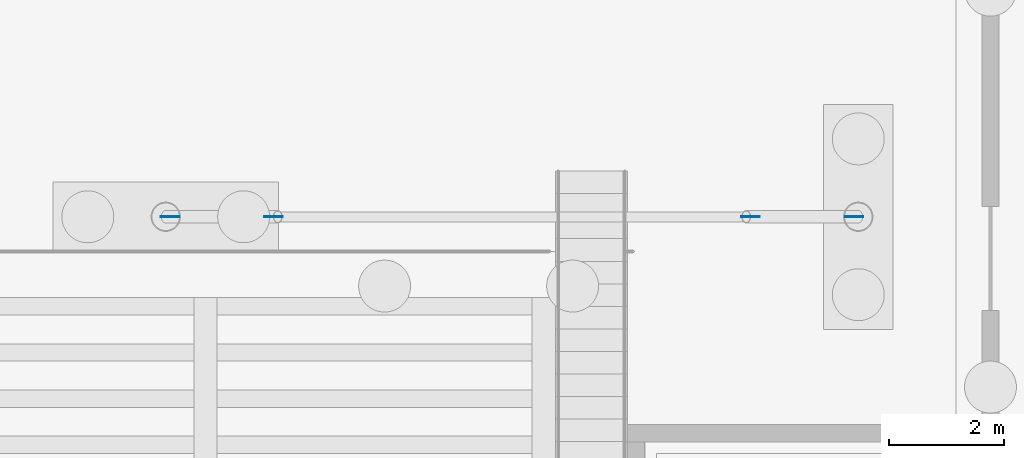
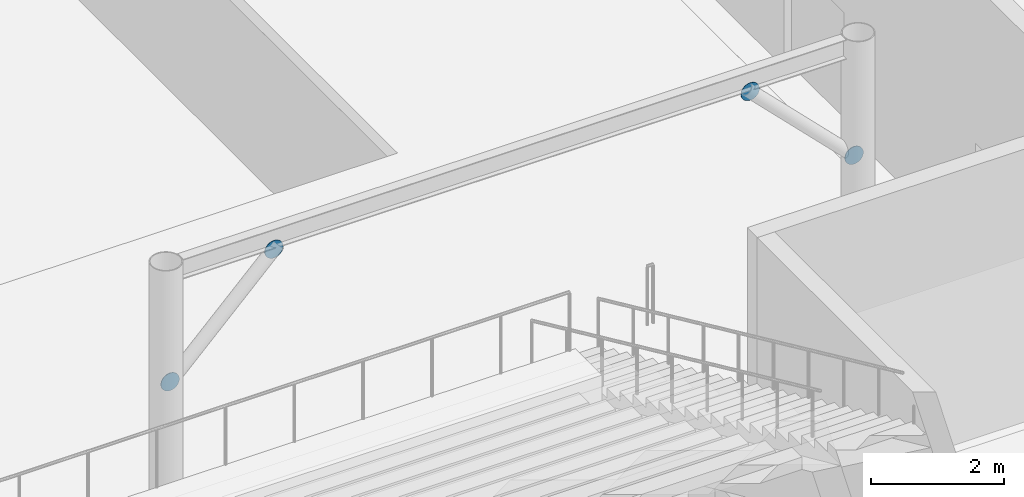
# One storey, part 118 of 157: 4 discrete accessories.
"""IFC4 building model written with IfcOpenShell, lengths in metres."""

from ifc_helpers import new_model, si_unit, direction, frame, origin, origin_2d, place, context, subcontext, project, spatial, circle, extrude, material, layer, layer_set, type_object, element, save


model = new_model("IFC4")

# Units and contexts
model_context = context("Model", 3, precision=1e-05, world=origin(), true_north=direction((0.0, 1.0)))
body_context = subcontext(model_context, "Body", "Model", "MODEL_VIEW")
ifc_project = project(units=[si_unit("LENGTHUNIT", "METRE"), si_unit("AREAUNIT", "SQUARE_METRE"), si_unit("VOLUMEUNIT", "CUBIC_METRE"), si_unit("PLANEANGLEUNIT", "RADIAN"), si_unit("MASSUNIT", "GRAM", prefix="KILO")], contexts=[model_context])

# Site, building, storey
site_placement = place(None, origin())
site = spatial("IfcSite", under=ifc_project, at=site_placement, CompositionType="ELEMENT")
building_placement = place(site_placement, origin())
building = spatial("IfcBuilding", under=site, at=building_placement, Name="Windward Yard Aquatics Centre", CompositionType="ELEMENT")
storey_placement = place(building_placement, origin())
storey = spatial("IfcBuildingStorey", under=building, at=storey_placement, Name="L00", CompositionType="ELEMENT", Elevation=0.0)

# Discrete accessories
ifc_material = material(Name="Steel S355", Category="steel")
ifc_layer = layer(ifc_material, 0.011962890625)
ifc_layer_set = layer_set([ifc_layer], Name="Gusset plate 320 mm disc 12 mm")
discrete_accessory_type = type_object("IfcDiscreteAccessoryType", Name="Gusset plate 320 mm disc 12 mm", PredefinedType="USERDEFINED", material=ifc_layer_set)
for number, where, z_axis, x_axis, name in (
    (1, (132.07080078125, 41.593994140625, 2.770751953125), (0.0, 1.0, 0.0), (-1.0, 0.0, 0.0), "Gusset plate"),
    (2, (133.871337890625, 41.593994140625, 4.5712890625), (0.0, 1.0, 0.0), (-1.0, 0.0, 0.0), "Gusset plate"),
    (3, (143.92919921875, 41.593994140625, 2.770751953125), (0.0, 1.0, 0.0), (-1.0, 0.0, 0.0), "Gusset plate"),
    (4, (142.128662109375, 41.593994140625, 4.5712890625), (0.0, 1.0, 0.0), (-1.0, 0.0, 0.0), "Gusset plate"),
):
    element("IfcDiscreteAccessory", number, at=place(storey_placement, frame(where, z_axis=z_axis, x_axis=x_axis)), inside=storey, type_object=discrete_accessory_type, Name=name, ObjectType="GUSSET PLATE", PredefinedType="USERDEFINED", context=body_context, shape_type="SweptSolid", body=[
        extrude(circle(Radius=0.159912109375, at=origin_2d()), origin(), (0.0, 0.0, 1.0), 0.011962890625),
    ])

save(model, "model.ifc")
